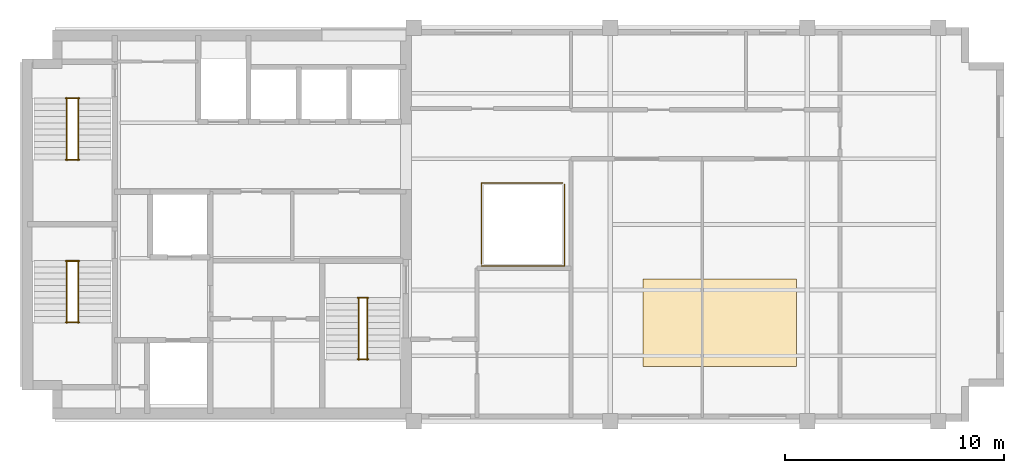
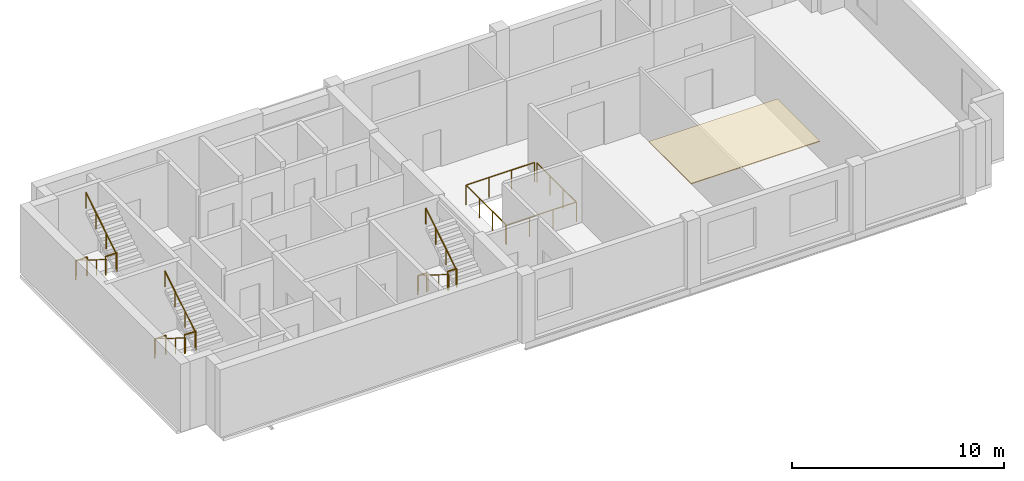
# One storey, part 5 of 5: 14 railings, 1 covering.
"""IFC4 building model written with IfcOpenShell, lengths in metres."""

from ifc_helpers import new_model, si_unit, direction, frame, origin, origin_2d, place, context, subcontext, project, spatial, polyline, circle, outline, extrude, material, layer, layer_set, type_object, element, save


model = new_model("IFC4")

# Units and contexts
model_context = context("Model", 3, precision=1e-05, world=origin(), true_north=direction((0.0, 1.0)))
body_context = subcontext(model_context, "Body", "Model", "MODEL_VIEW")
ifc_project = project(units=[si_unit("LENGTHUNIT", "METRE"), si_unit("AREAUNIT", "SQUARE_METRE"), si_unit("VOLUMEUNIT", "CUBIC_METRE"), si_unit("PLANEANGLEUNIT", "RADIAN"), si_unit("MASSUNIT", "GRAM", prefix="KILO")], contexts=[model_context])

# Site, building, storey
site_placement = place(None, origin())
site = spatial("IfcSite", under=ifc_project, at=site_placement, CompositionType="ELEMENT")
building_placement = place(site_placement, origin())
building = spatial("IfcBuilding", under=site, at=building_placement, Name="Mawjdan Bourse Tower", CompositionType="ELEMENT")
storey_placement = place(building_placement, frame((0.0, 0.0, 297.60009765625)))
storey = spatial("IfcBuildingStorey", under=building, at=storey_placement, Name="L73", CompositionType="ELEMENT", Elevation=297.60009765625)

# Covering
ifc_material_1 = material(Name="Perforated Mineral-Fibre Acoustic Ceiling")
ifc_layer = layer(ifc_material_1, 0.044921875)
ifc_layer_set = layer_set([ifc_layer], Name="Perforated Mineral-Fibre Acoustic Ceiling")
covering_type = type_object("IfcCoveringType", Name="COV-CLG-AC", PredefinedType="CEILING", material=ifc_layer_set)
covering_placement = place(storey_placement, frame((0.0, 0.0, 3.669921875)))
element("IfcCovering", 1, at=covering_placement, inside=storey, type_object=covering_type, Name="L73 Suspended Acoustic Ceiling", PredefinedType="CEILING", context=body_context, shape_type="SweptSolid", body=[
    extrude(outline(polyline([(34.5, 5.5), (41.5, 5.5), (41.5, 9.5), (34.5, 9.5), (34.5, 5.5)])), origin(), (0.0, 0.0, 1.0), 0.044921875),
])

# Railings
ifc_material_2 = material(Name="Stainless Steel and Laminated Glass", Category="steel")
railing_type_1 = type_object("IfcRailingType", Name="RLG-BAL-1150", PredefinedType="BALUSTRADE", material=ifc_material_2)
railing_1_placement = place(storey_placement, frame((27.10009765625, 10.10009765625, 0.0)))
element("IfcRailing", 2, at=railing_1_placement, inside=storey, type_object=railing_type_1, Name="L73 Summit Atrium Lightwell Balustrade SE", PredefinedType="BALUSTRADE", context=body_context, shape_type="SweptSolid", body=[
    extrude(circle(Radius=0.02685546875, at=origin_2d()), frame((0.0, 0.0, 1.123046875), z_axis=(1.0, 0.0, 0.0), x_axis=(0.0, 1.0, 0.0)), (0.0, 0.0, 1.0), 3.7998046875),
    extrude(circle(Radius=0.02685546875, at=origin_2d()), frame((3.7998046875, 0.0, 1.123046875), z_axis=(0.0, 1.0, 0.0), x_axis=(-1.0, 0.0, 0.0)), (0.0, 0.0, 1.0), 3.719970703125),
    extrude(circle(Radius=0.02294921875, at=origin_2d()), origin(), (0.0, 0.0, 1.0), 1.095947265625),
    extrude(circle(Radius=0.02294921875, at=origin_2d()), frame((1.2666015625, 0.0, 0.0)), (0.0, 0.0, 1.0), 1.095947265625),
    extrude(circle(Radius=0.02294921875, at=origin_2d()), frame((2.533203125, 0.0, 0.0)), (0.0, 0.0, 1.0), 1.095947265625),
    extrude(circle(Radius=0.02294921875, at=origin_2d()), frame((3.7998046875, 0.0, 0.0)), (0.0, 0.0, 1.0), 1.095947265625),
    extrude(circle(Radius=0.02294921875, at=origin_2d()), frame((3.7998046875, 1.239990234375, 0.0)), (0.0, 0.0, 1.0), 1.095947265625),
    extrude(circle(Radius=0.02294921875, at=origin_2d()), frame((3.7998046875, 2.47998046875, 0.0)), (0.0, 0.0, 1.0), 1.095947265625),
    extrude(circle(Radius=0.02294921875, at=origin_2d()), frame((3.7998046875, 3.719970703125, 0.0)), (0.0, 0.0, 1.0), 1.095947265625),
])
railing_2_placement = place(storey_placement, frame((30.820068359375, 13.89990234375, 0.0)))
element("IfcRailing", 3, at=railing_2_placement, inside=storey, type_object=railing_type_1, Name="L73 Summit Atrium Lightwell Balustrade NW", PredefinedType="BALUSTRADE", context=body_context, shape_type="SweptSolid", body=[
    extrude(circle(Radius=0.02685546875, at=origin_2d()), frame((0.0, 0.0, 1.123046875), z_axis=(-1.0, 0.0, 0.0), x_axis=(0.0, -1.0, 0.0)), (0.0, 0.0, 1.0), 3.719970703125),
    extrude(circle(Radius=0.02685546875, at=origin_2d()), frame((-3.719970703125, 0.0, 1.123046875), z_axis=(0.0, -1.0, 0.0), x_axis=(1.0, 0.0, 0.0)), (0.0, 0.0, 1.0), 3.719970703125),
    extrude(circle(Radius=0.02294921875, at=origin_2d()), origin(), (0.0, 0.0, 1.0), 1.095947265625),
    extrude(circle(Radius=0.02294921875, at=origin_2d()), frame((-1.239990234375, 0.0, 0.0)), (0.0, 0.0, 1.0), 1.095947265625),
    extrude(circle(Radius=0.02294921875, at=origin_2d()), frame((-2.47998046875, 0.0, 0.0)), (0.0, 0.0, 1.0), 1.095947265625),
    extrude(circle(Radius=0.02294921875, at=origin_2d()), frame((-3.719970703125, 0.0, 0.0)), (0.0, 0.0, 1.0), 1.095947265625),
    extrude(circle(Radius=0.02294921875, at=origin_2d()), frame((-3.719970703125, -1.239990234375, 0.0)), (0.0, 0.0, 1.0), 1.095947265625),
    extrude(circle(Radius=0.02294921875, at=origin_2d()), frame((-3.719970703125, -2.47998046875, 0.0)), (0.0, 0.0, 1.0), 1.095947265625),
    extrude(circle(Radius=0.02294921875, at=origin_2d()), frame((-3.719970703125, -3.719970703125, 0.0)), (0.0, 0.0, 1.0), 1.095947265625),
])
ifc_material_3 = material(Name="Structural Steel S355", Category="steel")
railing_type_2 = type_object("IfcRailingType", Name="RLG-GRD-1100", PredefinedType="GUARDRAIL", material=ifc_material_3)
for number, where, name in (
    (4, (8.090087890625, 7.52001953125, 1.949951171875), "L73 ST1 Landing Guardrail GL-MID"),
    (5, (8.090087890625, 10.330078125, 0.0), "L73 ST1 Landing Guardrail GL-BOT"),
    (6, (8.090087890625, 14.9599609375, 1.949951171875), "L73 ST2 Landing Guardrail GL-MID"),
    (7, (8.090087890625, 17.77001953125, 0.0), "L73 ST2 Landing Guardrail GL-BOT"),
):
    element("IfcRailing", number, at=place(storey_placement, frame(where)), inside=storey, type_object=railing_type_2, Name=name, PredefinedType="GUARDRAIL", context=body_context, shape_type="SweptSolid", body=[
        extrude(circle(Radius=0.02490234375, at=origin_2d()), frame((0.0, 0.0, 1.0751953125), z_axis=(1.0, 0.0, 0.0), x_axis=(0.0, 1.0, 0.0)), (0.0, 0.0, 1.0), 0.619873046875),
        extrude(circle(Radius=0.02099609375, at=origin_2d()), origin(), (0.0, 0.0, 1.0), 1.050048828125),
        extrude(circle(Radius=0.02099609375, at=origin_2d()), frame((0.619873046875, 0.0, 0.0)), (0.0, 0.0, 1.0), 1.050048828125),
    ])
for number, where, name in (
    (8, (21.43994140625, 5.830078125, 1.949951171875), "L73 ST7 Landing Guardrail GL-MID"),
    (9, (21.43994140625, 8.639892578125, 0.0), "L73 ST7 Landing Guardrail GL-BOT"),
):
    element("IfcRailing", number, at=place(storey_placement, frame(where)), inside=storey, type_object=railing_type_2, Name=name, PredefinedType="GUARDRAIL", context=body_context, shape_type="SweptSolid", body=[
        extrude(circle(Radius=0.02490234375, at=origin_2d()), frame((0.0, 0.0, 1.0751953125), z_axis=(1.0, 0.0, 0.0), x_axis=(0.0, 1.0, 0.0)), (0.0, 0.0, 1.0), 0.489990234375),
        extrude(circle(Radius=0.02099609375, at=origin_2d()), origin(), (0.0, 0.0, 1.0), 1.050048828125),
        extrude(circle(Radius=0.02099609375, at=origin_2d()), frame((0.489990234375, 0.0, 0.0)), (0.0, 0.0, 1.0), 1.050048828125),
    ])
ifc_material_4 = material(Name="Brushed Stainless Steel", Category="steel")
railing_type_3 = type_object("IfcRailingType", Name="RLG-HND-920", PredefinedType="HANDRAIL", material=ifc_material_4)
railing_3_placement = place(storey_placement, frame((8.139892578125, 10.35009765625, 0.17724609375)))
element("IfcRailing", 10, at=railing_3_placement, inside=storey, type_object=railing_type_3, Name="L73 ST1 Flight Handrail HR1", PredefinedType="HANDRAIL", context=body_context, shape_type="SweptSolid", body=[
    extrude(circle(Radius=0.0224609375, at=origin_2d()), frame((0.0, 0.0, 0.8974609375), z_axis=(0.0, -0.849148672731, 0.528153890072), x_axis=(1.0, 0.0, 0.0)), (0.0, 0.0, 1.0), 3.3564453125),
    extrude(circle(Radius=0.01904296875, at=origin_2d()), origin(), (0.0, 0.0, 1.0), 0.875),
    extrude(circle(Radius=0.01904296875, at=origin_2d()), frame((0.0, -0.949951171875, 0.5908203125)), (0.0, 0.0, 1.0), 0.875),
    extrude(circle(Radius=0.01904296875, at=origin_2d()), frame((0.0, -1.900146484375, 1.181884765625)), (0.0, 0.0, 1.0), 0.875),
    extrude(circle(Radius=0.01904296875, at=origin_2d()), frame((0.0, -2.85009765625, 1.772705078125)), (0.0, 0.0, 1.0), 0.875),
])
railing_4_placement = place(storey_placement, frame((8.659912109375, 7.5, 2.127197265625)))
element("IfcRailing", 11, at=railing_4_placement, inside=storey, type_object=railing_type_3, Name="L73 ST1 Flight Handrail HR2", PredefinedType="HANDRAIL", context=body_context, shape_type="SweptSolid", body=[
    extrude(circle(Radius=0.0224609375, at=origin_2d()), frame((0.0, 0.0, 0.8974609375), z_axis=(0.0, 0.849148672731, 0.528153890072), x_axis=(-1.0, 0.0, 0.0)), (0.0, 0.0, 1.0), 3.3564453125),
    extrude(circle(Radius=0.01904296875, at=origin_2d()), origin(), (0.0, 0.0, 1.0), 0.875),
    extrude(circle(Radius=0.01904296875, at=origin_2d()), frame((0.0, 0.949951171875, 0.5908203125)), (0.0, 0.0, 1.0), 0.875),
    extrude(circle(Radius=0.01904296875, at=origin_2d()), frame((0.0, 1.900146484375, 1.181884765625)), (0.0, 0.0, 1.0), 0.875),
    extrude(circle(Radius=0.01904296875, at=origin_2d()), frame((0.0, 2.85009765625, 1.772705078125)), (0.0, 0.0, 1.0), 0.875),
])
railing_5_placement = place(storey_placement, frame((8.139892578125, 17.7900390625, 0.17724609375)))
element("IfcRailing", 12, at=railing_5_placement, inside=storey, type_object=railing_type_3, Name="L73 ST2 Flight Handrail HR1", PredefinedType="HANDRAIL", context=body_context, shape_type="SweptSolid", body=[
    extrude(circle(Radius=0.0224609375, at=origin_2d()), frame((0.0, 0.0, 0.8974609375), z_axis=(0.0, -0.849148672731, 0.528153890072), x_axis=(1.0, 0.0, 0.0)), (0.0, 0.0, 1.0), 3.3564453125),
    extrude(circle(Radius=0.01904296875, at=origin_2d()), origin(), (0.0, 0.0, 1.0), 0.875),
    extrude(circle(Radius=0.01904296875, at=origin_2d()), frame((0.0, -0.949951171875, 0.5908203125)), (0.0, 0.0, 1.0), 0.875),
    extrude(circle(Radius=0.01904296875, at=origin_2d()), frame((0.0, -1.900146484375, 1.181884765625)), (0.0, 0.0, 1.0), 0.875),
    extrude(circle(Radius=0.01904296875, at=origin_2d()), frame((0.0, -2.85009765625, 1.772705078125)), (0.0, 0.0, 1.0), 0.875),
])
railing_6_placement = place(storey_placement, frame((8.659912109375, 14.93994140625, 2.127197265625)))
element("IfcRailing", 13, at=railing_6_placement, inside=storey, type_object=railing_type_3, Name="L73 ST2 Flight Handrail HR2", PredefinedType="HANDRAIL", context=body_context, shape_type="SweptSolid", body=[
    extrude(circle(Radius=0.0224609375, at=origin_2d()), frame((0.0, 0.0, 0.8974609375), z_axis=(0.0, 0.849148672731, 0.528153890072), x_axis=(-1.0, 0.0, 0.0)), (0.0, 0.0, 1.0), 3.3564453125),
    extrude(circle(Radius=0.01904296875, at=origin_2d()), origin(), (0.0, 0.0, 1.0), 0.875),
    extrude(circle(Radius=0.01904296875, at=origin_2d()), frame((0.0, 0.949951171875, 0.5908203125)), (0.0, 0.0, 1.0), 0.875),
    extrude(circle(Radius=0.01904296875, at=origin_2d()), frame((0.0, 1.900146484375, 1.181884765625)), (0.0, 0.0, 1.0), 0.875),
    extrude(circle(Radius=0.01904296875, at=origin_2d()), frame((0.0, 2.85009765625, 1.772705078125)), (0.0, 0.0, 1.0), 0.875),
])
railing_7_placement = place(storey_placement, frame((21.489990234375, 8.659912109375, 0.17724609375)))
element("IfcRailing", 14, at=railing_7_placement, inside=storey, type_object=railing_type_3, Name="L73 ST7 Flight Handrail HR1", PredefinedType="HANDRAIL", context=body_context, shape_type="SweptSolid", body=[
    extrude(circle(Radius=0.0224609375, at=origin_2d()), frame((0.0, 0.0, 0.8974609375), z_axis=(0.0, -0.849128380713, 0.528186513523), x_axis=(1.0, 0.0, 0.0)), (0.0, 0.0, 1.0), 3.356201171875),
    extrude(circle(Radius=0.01904296875, at=origin_2d()), origin(), (0.0, 0.0, 1.0), 0.875),
    extrude(circle(Radius=0.01904296875, at=origin_2d()), frame((0.0, -0.949951171875, 0.5908203125)), (0.0, 0.0, 1.0), 0.875),
    extrude(circle(Radius=0.01904296875, at=origin_2d()), frame((0.0, -1.89990234375, 1.181884765625)), (0.0, 0.0, 1.0), 0.875),
    extrude(circle(Radius=0.01904296875, at=origin_2d()), frame((0.0, -2.849853515625, 1.772705078125)), (0.0, 0.0, 1.0), 0.875),
])
railing_8_placement = place(storey_placement, frame((21.8798828125, 5.81005859375, 2.127197265625)))
element("IfcRailing", 15, at=railing_8_placement, inside=storey, type_object=railing_type_3, Name="L73 ST7 Flight Handrail HR2", PredefinedType="HANDRAIL", context=body_context, shape_type="SweptSolid", body=[
    extrude(circle(Radius=0.0224609375, at=origin_2d()), frame((0.0, 0.0, 0.8974609375), z_axis=(0.0, 0.849128380713, 0.528186513523), x_axis=(-1.0, 0.0, 0.0)), (0.0, 0.0, 1.0), 3.356201171875),
    extrude(circle(Radius=0.01904296875, at=origin_2d()), origin(), (0.0, 0.0, 1.0), 0.875),
    extrude(circle(Radius=0.01904296875, at=origin_2d()), frame((0.0, 0.949951171875, 0.5908203125)), (0.0, 0.0, 1.0), 0.875),
    extrude(circle(Radius=0.01904296875, at=origin_2d()), frame((0.0, 1.89990234375, 1.181884765625)), (0.0, 0.0, 1.0), 0.875),
    extrude(circle(Radius=0.01904296875, at=origin_2d()), frame((0.0, 2.849853515625, 1.772705078125)), (0.0, 0.0, 1.0), 0.875),
])

save(model, "model.ifc")
